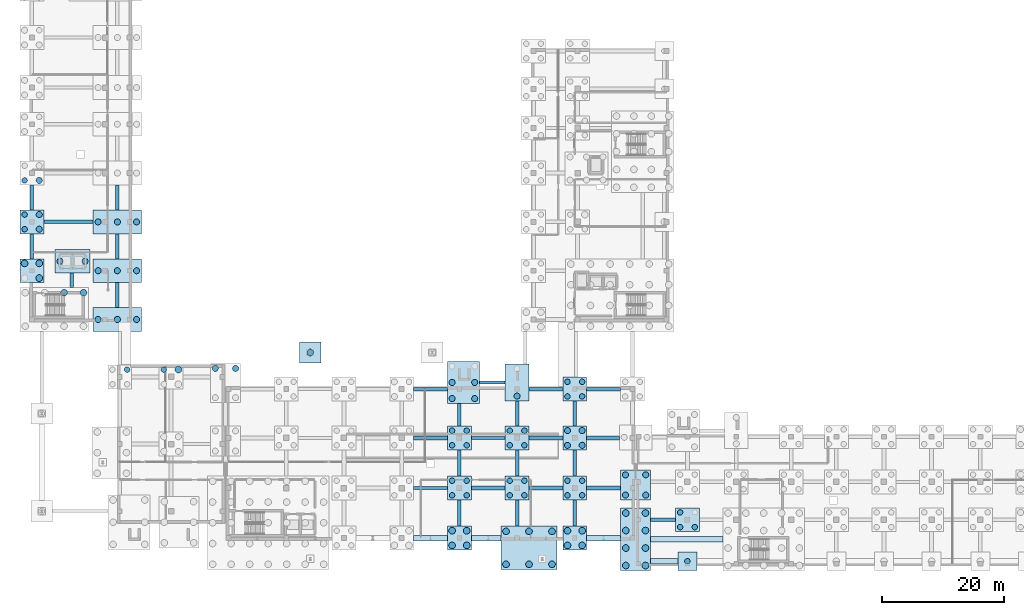
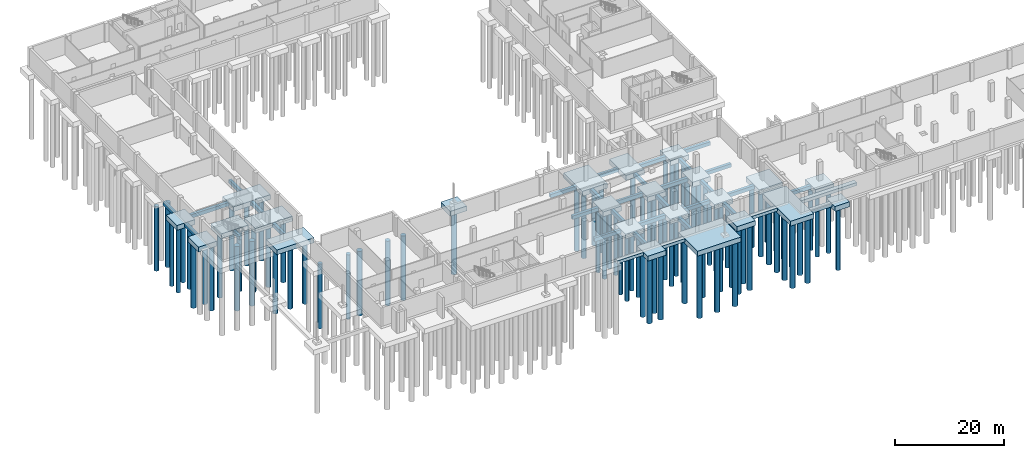
# One storey, part 2 of 31: 91 piles, 57 footings.
"""IFC4 building model written with IfcOpenShell, lengths in metres."""

import ifcopenshell
import ifcopenshell.guid

model = None  # the IFC model being written
_history = None  # IfcOwnerHistory: only IFC2X3 demands one
_inside = {}  # id of a spatial element -> (the spatial element, [elements in it])
_under = {}  # id of a project, library or spatial element -> (it, [spatial elements below it])
_declared = {}  # id of a project -> (the project, [libraries it declares])
_typed = {}  # id of a type object -> (the type object, [elements of that type])
_made_of = {}  # id of a material, layer set ... -> (it, [elements and type objects made of it])


def new_model(schema):
    """Start an empty IFC model of exactly this schema.

    Asked for "IFC4X3", IfcOpenShell would pick the latest addendum, in which some entities
    have other attributes; the version numbers below select the first issue.
    IFC2X3 requires an IfcOwnerHistory on every rooted entity: one is made here for all.
    """
    global model, _history
    if schema == "IFC4X3":
        model = ifcopenshell.file(schema_version=(4, 3, 0, 0))
    else:
        model = ifcopenshell.file(schema=schema)
    _inside.clear()
    _under.clear()
    _declared.clear()
    _typed.clear()
    _made_of.clear()
    _history = None
    if model.schema == "IFC2X3":
        org = make("IfcOrganization", Name="unknown")
        user = make(
            "IfcPersonAndOrganization",
            ThePerson=make("IfcPerson", FamilyName="unknown"),
            TheOrganization=org,
        )
        app = make(
            "IfcApplication",
            ApplicationDeveloper=org,
            Version="unknown",
            ApplicationFullName="unknown",
            ApplicationIdentifier="unknown",
        )
        _history = make(
            "IfcOwnerHistory",
            OwningUser=user,
            OwningApplication=app,
            ChangeAction="ADDED",
            CreationDate=0,
        )
    return model


def make(cls, **values):
    """One entity of the class cls with the attributes given. An attribute that is None is left unset."""
    return model.create_entity(
        cls, **{name: value for name, value in values.items() if value is not None}
    )


def rooted(cls, **values):
    """An entity with a GlobalId (a new one), such as an element, a storey or a relation."""
    return make(cls, GlobalId=ifcopenshell.guid.new(), OwnerHistory=_history, **values)


def si_unit(unit_type, name, prefix=None):
    """IfcSIUnit, for example si_unit("LENGTHUNIT", "METRE", prefix="MILLI")."""
    return make("IfcSIUnit", UnitType=unit_type, Prefix=prefix, Name=name)


def assignment(units):
    """IfcUnitAssignment: the units of a project."""
    return None if units is None else make("IfcUnitAssignment", Units=units)


def point(xyz):
    """IfcCartesianPoint."""
    return None if xyz is None else make("IfcCartesianPoint", Coordinates=xyz)


def direction(xyz):
    """IfcDirection."""
    return None if xyz is None else make("IfcDirection", DirectionRatios=xyz)


def frame(location, z_axis=None, x_axis=None):
    """IfcAxis2Placement3D, a coordinate frame: its origin and axes. An axis left out is left unset."""
    return make(
        "IfcAxis2Placement3D",
        Location=point(location),
        Axis=direction(z_axis),
        RefDirection=direction(x_axis),
    )


def frame_2d(location, x_axis=None):
    """IfcAxis2Placement2D, a coordinate frame in the plane: its origin and x axis."""
    return make(
        "IfcAxis2Placement2D", Location=point(location), RefDirection=direction(x_axis)
    )


def origin():
    """The frame at (0, 0, 0) with its axes left unset."""
    return frame((0.0, 0.0, 0.0))


def origin_2d():
    """The frame at (0, 0) in the plane with its x axis left unset."""
    return frame_2d((0.0, 0.0))


def place(relative_to, where):
    """IfcLocalPlacement: puts the frame where relative to a parent placement (None: the world)."""
    return make(
        "IfcLocalPlacement", PlacementRelTo=relative_to, RelativePlacement=where
    )


def context(
    kind, dimensions, precision=None, world=None, true_north=None, identifier=None
):
    """IfcGeometricRepresentationContext, for example the 3D "Model" context."""
    return make(
        "IfcGeometricRepresentationContext",
        ContextIdentifier=identifier,
        ContextType=kind,
        CoordinateSpaceDimension=dimensions,
        Precision=precision,
        WorldCoordinateSystem=world,
        TrueNorth=true_north,
    )


def subcontext(parent, identifier, kind, view, scale=None):
    """IfcGeometricRepresentationSubContext, for example "Body" below "Model"."""
    return make(
        "IfcGeometricRepresentationSubContext",
        ContextIdentifier=identifier,
        ContextType=kind,
        ParentContext=parent,
        TargetScale=scale,
        TargetView=view,
    )


def project(units=None, contexts=None):
    """IfcProject with its units and contexts."""
    return rooted(
        "IfcProject",
        Name="project",
        RepresentationContexts=contexts,
        UnitsInContext=assignment(units),
    )


def spatial(cls, under=None, at=None, **own):
    """A site, building, storey or space (cls), placed at a placement, below another one or the project."""
    s = rooted(cls, ObjectPlacement=at, **own)
    if under is not None:
        _under.setdefault(under.id(), (under, []))[1].append(s)
    return s


def profile(cls, at=None, kind="AREA", **sizes):
    """A parametric profile (cls). Its sizes go by their IFC names, for example OverallWidth=200.0."""
    return make(cls, ProfileType=kind, Position=at, **sizes)


def rectangle(**sizes):
    """IfcRectangleProfileDef."""
    return profile("IfcRectangleProfileDef", **sizes)


def circle(**sizes):
    """IfcCircleProfileDef."""
    return profile("IfcCircleProfileDef", **sizes)


def extrude(swept, where, along, depth):
    """IfcExtrudedAreaSolid: the profile swept, set in the frame where, extruded along a direction by depth."""
    return make(
        "IfcExtrudedAreaSolid",
        SweptArea=swept,
        Position=where,
        ExtrudedDirection=direction(along),
        Depth=depth,
    )


def shape(context_of_items, identifier, shape_type, items):
    """IfcShapeRepresentation: the items that make up one representation, for example the "Body"."""
    return make(
        "IfcShapeRepresentation",
        ContextOfItems=context_of_items,
        RepresentationIdentifier=identifier,
        RepresentationType=shape_type,
        Items=items,
    )


def material(Name=None, Category=None):
    """IfcMaterial."""
    return make("IfcMaterial", Name=Name, Category=Category)


def material_profile(
    of_material, cross_section, Name=None, Category=None, Priority=None
):
    """IfcMaterialProfile: a cross section and its material."""
    return make(
        "IfcMaterialProfile",
        Name=Name,
        Material=of_material,
        Profile=cross_section,
        Priority=Priority,
        Category=Category,
    )


def profile_set(profiles, Name=None, composite=None):
    """IfcMaterialProfileSet."""
    return make(
        "IfcMaterialProfileSet",
        Name=Name,
        MaterialProfiles=profiles,
        CompositeProfile=composite,
    )


def made_of(thing, what):
    """Note that an element or type object is made of a material, layer set ...; save() writes the relation."""
    if what is not None:
        _made_of.setdefault(what.id(), (what, []))[1].append(thing)
    return thing


def type_object(cls, material=None, **own):
    """A type object (cls), such as IfcWallType, which elements share."""
    return made_of(rooted(cls, **own), material)


def element(
    cls,
    number,
    at=None,
    inside=None,
    cuts=None,
    type_object=None,
    material=None,
    context=None,
    identifier="Body",
    shape_type=None,
    held_by="IfcProductDefinitionShape",
    body=None,
    shapes=None,
    **own,
):
    """One element of the class cls, such as IfcWall. Its Tag is "e" and its number.

    at: its placement. inside: the storey or other place that contains it. cuts: it is an
    opening in that element (IfcRelVoidsElement). A single representation is given by context,
    identifier, shape_type and body (its items); several are given by shapes. held_by: the class
    of the entity that holds the representations. save() writes the other relations.
    """
    e = rooted(cls, Tag="e%d" % number, ObjectPlacement=at, **own)
    if body is not None:
        shapes = [shape(context, identifier, shape_type, body)]
    if shapes is not None:
        e.Representation = make(held_by, Representations=shapes)
    if inside is not None:
        _inside.setdefault(inside.id(), (inside, []))[1].append(e)
    if cuts is not None:
        rooted(
            "IfcRelVoidsElement", RelatingBuildingElement=cuts, RelatedOpeningElement=e
        )
    if type_object is not None:
        _typed.setdefault(type_object.id(), (type_object, []))[1].append(e)
    return made_of(e, material)


def aggregate(whole, parts):
    """IfcRelAggregates: a whole, such as a stair, and the parts it consists of."""
    return rooted("IfcRelAggregates", RelatingObject=whole, RelatedObjects=parts)


def save(model, path):
    """Write the relations noted so far, then the file.

    IfcRelAggregates (storeys below a building ...), IfcRelContainedInSpatialStructure (elements
    in a storey), IfcRelDefinesByType, IfcRelAssociatesMaterial and IfcRelDeclares: one each for
    every whole, place, type object, material and project.
    """
    for whole, parts in _under.values():
        aggregate(whole, parts)
    for where, things in _inside.values():
        rooted(
            "IfcRelContainedInSpatialStructure",
            RelatedElements=things,
            RelatingStructure=where,
        )
    for kind, things in _typed.values():
        rooted("IfcRelDefinesByType", RelatedObjects=things, RelatingType=kind)
    for what, things in _made_of.values():
        rooted("IfcRelAssociatesMaterial", RelatedObjects=things, RelatingMaterial=what)
    for by, libraries in _declared.values():
        rooted("IfcRelDeclares", RelatingContext=by, RelatedDefinitions=libraries)
    model.write(path)


model = new_model("IFC4")

# Units and contexts
model_context = context("Model", 3, precision=1e-05, world=origin(), true_north=direction((0.0, 1.0)))
body_context = subcontext(model_context, "Body", "Model", "MODEL_VIEW")
ifc_project = project(units=[si_unit("LENGTHUNIT", "METRE"), si_unit("AREAUNIT", "SQUARE_METRE"), si_unit("VOLUMEUNIT", "CUBIC_METRE"), si_unit("PLANEANGLEUNIT", "RADIAN"), si_unit("MASSUNIT", "GRAM", prefix="KILO")], contexts=[model_context])

# Site, building, storey
site_placement = place(None, origin())
site = spatial("IfcSite", under=ifc_project, at=site_placement, CompositionType="ELEMENT")
building_placement = place(site_placement, origin())
building = spatial("IfcBuilding", under=site, at=building_placement, Name="Qalavern Law Courts", CompositionType="ELEMENT")
storey_placement = place(building_placement, frame((0.0, 0.0, -8.39990234375)))
storey = spatial("IfcBuildingStorey", under=building, at=storey_placement, Name="B2", CompositionType="ELEMENT", Elevation=-8.39990234375)

# Footings
ifc_material = material(Name="Concrete C35/45", Category="concrete")
ifc_material_profile_1 = material_profile(ifc_material, rectangle(XDim=0.5, YDim=0.85009765625, at=origin_2d()), Name="RC 500x850")
ifc_profile_set_1 = profile_set([ifc_material_profile_1], Name="Concrete C35/45")
footing_type_1 = type_object("IfcFootingType", Name="STR-FB-500x850", PredefinedType="FOOTING_BEAM", material=ifc_profile_set_1)
for number, where, z_axis, x_axis, name in (
    (1, (64.93310546875, 13.800048828125, -0.925048828125), (1.0, 0.0, 0.0), (0.0, 1.0, 0.0), "Seismic tie beam 027"),
    (2, (74.386962890625, 22.0, -0.925048828125), (1.0, 0.0, 0.0), (0.0, 1.0, 0.0), "Seismic tie beam 063"),
):
    element("IfcFooting", number, at=place(storey_placement, frame(where, z_axis=z_axis, x_axis=x_axis)), inside=storey, type_object=footing_type_1, Name=name, PredefinedType="FOOTING_BEAM", context=body_context, shape_type="SweptSolid", body=[
        extrude(rectangle(XDim=0.5, YDim=0.85009765625, at=origin_2d()), origin(), (0.0, 0.0, 1.0), 5.553955078125),
    ])
footing_1_placement = place(storey_placement, frame((75.75, 31.10009765625, -0.925048828125), z_axis=(1.0, 0.0, 0.0), x_axis=(0.0, 1.0, 0.0)))
element("IfcFooting", 3, at=footing_1_placement, inside=storey, type_object=footing_type_1, Name="Seismic tie beam 078", PredefinedType="FOOTING_BEAM", context=body_context, shape_type="SweptSolid", body=[
    extrude(rectangle(XDim=0.5, YDim=0.85009765625, at=origin_2d()), origin(), (0.0, 0.0, 1.0), 4.19091796875),
])
ifc_material_profile_2 = material_profile(ifc_material, rectangle(XDim=0.60009765625, YDim=0.800048828125, at=origin_2d()), Name="RC 600x800")
ifc_profile_set_2 = profile_set([ifc_material_profile_2], Name="Concrete C35/45")
footing_type_2 = type_object("IfcFootingType", Name="STR-FB-600x800", PredefinedType="FOOTING_BEAM", material=ifc_profile_set_2)
footing_2_placement = place(storey_placement, frame((103.77001953125, 8.60009765625, -0.900146484375), z_axis=(1.0, 0.0, 0.0), x_axis=(0.0, 1.0, 0.0)))
element("IfcFooting", 4, at=footing_2_placement, inside=storey, type_object=footing_type_2, Name="Seismic tie beam 001", PredefinedType="FOOTING_BEAM", context=body_context, shape_type="SweptSolid", body=[
    extrude(rectangle(XDim=0.60009765625, YDim=0.800048828125, at=origin_2d()), origin(), (0.0, 0.0, 1.0), 4.080078125),
])
for number, where, z_axis, x_axis, name in (
    (5, (81.89111328125, 7.550048828125, -0.900146484375), (0.0, 1.0, 0.0), (-1.0, 0.0, 0.0), "Seismic tie beam 010"),
    (6, (72.43701171875, 7.550048828125, -0.900146484375), (0.0, 1.0, 0.0), (-1.0, 0.0, 0.0), "Seismic tie beam 013"),
    (7, (91.345947265625, 7.550048828125, -0.900146484375), (0.0, 1.0, 0.0), (-1.0, 0.0, 0.0), "Seismic tie beam 014"),
):
    element("IfcFooting", number, at=place(storey_placement, frame(where, z_axis=z_axis, x_axis=x_axis)), inside=storey, type_object=footing_type_2, Name=name, PredefinedType="FOOTING_BEAM", context=body_context, shape_type="SweptSolid", body=[
        extrude(rectangle(XDim=0.60009765625, YDim=0.800048828125, at=origin_2d()), origin(), (0.0, 0.0, 1.0), 4.300048828125),
    ])
footing_3_placement = place(storey_placement, frame((93.2958984375, 13.800048828125, -0.900146484375), z_axis=(1.0, 0.0, 0.0), x_axis=(0.0, 1.0, 0.0)))
element("IfcFooting", 8, at=footing_3_placement, inside=storey, type_object=footing_type_2, Name="Seismic tie beam 022", PredefinedType="FOOTING_BEAM", context=body_context, shape_type="SweptSolid", body=[
    extrude(rectangle(XDim=0.60009765625, YDim=0.800048828125, at=origin_2d()), origin(), (0.0, 0.0, 1.0), 5.55419921875),
])
footing_4_placement = place(storey_placement, frame((74.386962890625, 13.800048828125, -0.900146484375), z_axis=(1.0, 0.0, 0.0), x_axis=(0.0, 1.0, 0.0)))
element("IfcFooting", 9, at=footing_4_placement, inside=storey, type_object=footing_type_2, Name="Seismic tie beam 029", PredefinedType="FOOTING_BEAM", context=body_context, shape_type="SweptSolid", body=[
    extrude(rectangle(XDim=0.60009765625, YDim=0.800048828125, at=origin_2d()), origin(), (0.0, 0.0, 1.0), 5.553955078125),
])
footing_5_placement = place(storey_placement, frame((72.43701171875, 15.75, -0.900146484375), z_axis=(0.0, 1.0, 0.0), x_axis=(-1.0, 0.0, 0.0)))
element("IfcFooting", 10, at=footing_5_placement, inside=storey, type_object=footing_type_2, Name="Seismic tie beam 030", PredefinedType="FOOTING_BEAM", context=body_context, shape_type="SweptSolid", body=[
    extrude(rectangle(XDim=0.60009765625, YDim=0.800048828125, at=origin_2d()), origin(), (0.0, 0.0, 1.0), 4.300048828125),
])
footing_6_placement = place(storey_placement, frame((83.841064453125, 13.800048828125, -0.900146484375), z_axis=(1.0, 0.0, 0.0), x_axis=(0.0, 1.0, 0.0)))
element("IfcFooting", 11, at=footing_6_placement, inside=storey, type_object=footing_type_2, Name="Seismic tie beam 031", PredefinedType="FOOTING_BEAM", context=body_context, shape_type="SweptSolid", body=[
    extrude(rectangle(XDim=0.60009765625, YDim=0.800048828125, at=origin_2d()), origin(), (0.0, 0.0, 1.0), 5.554931640625),
])
for number, where, z_axis, x_axis, name in (
    (12, (81.89111328125, 15.75, -0.900146484375), (0.0, 1.0, 0.0), (-1.0, 0.0, 0.0), "Seismic tie beam 032"),
    (13, (91.345947265625, 15.75, -0.900146484375), (0.0, 1.0, 0.0), (-1.0, 0.0, 0.0), "Seismic tie beam 033"),
):
    element("IfcFooting", number, at=place(storey_placement, frame(where, z_axis=z_axis, x_axis=x_axis)), inside=storey, type_object=footing_type_2, Name=name, PredefinedType="FOOTING_BEAM", context=body_context, shape_type="SweptSolid", body=[
        extrude(rectangle(XDim=0.60009765625, YDim=0.800048828125, at=origin_2d()), origin(), (0.0, 0.0, 1.0), 4.300048828125),
    ])
footing_7_placement = place(storey_placement, frame((64.93310546875, 22.0, -0.900146484375), z_axis=(1.0, 0.0, 0.0), x_axis=(0.0, 1.0, 0.0)))
element("IfcFooting", 14, at=footing_7_placement, inside=storey, type_object=footing_type_2, Name="Seismic tie beam 061", PredefinedType="FOOTING_BEAM", context=body_context, shape_type="SweptSolid", body=[
    extrude(rectangle(XDim=0.60009765625, YDim=0.800048828125, at=origin_2d()), origin(), (0.0, 0.0, 1.0), 5.553955078125),
])
footing_8_placement = place(storey_placement, frame((72.43701171875, 23.949951171875, -0.900146484375), z_axis=(0.0, 1.0, 0.0), x_axis=(-1.0, 0.0, 0.0)))
element("IfcFooting", 15, at=footing_8_placement, inside=storey, type_object=footing_type_2, Name="Seismic tie beam 064", PredefinedType="FOOTING_BEAM", context=body_context, shape_type="SweptSolid", body=[
    extrude(rectangle(XDim=0.60009765625, YDim=0.800048828125, at=origin_2d()), origin(), (0.0, 0.0, 1.0), 3.705078125),
])
footing_9_placement = place(storey_placement, frame((83.841064453125, 22.0, -0.900146484375), z_axis=(1.0, 0.0, 0.0), x_axis=(0.0, 1.0, 0.0)))
element("IfcFooting", 16, at=footing_9_placement, inside=storey, type_object=footing_type_2, Name="Seismic tie beam 065", PredefinedType="FOOTING_BEAM", context=body_context, shape_type="SweptSolid", body=[
    extrude(rectangle(XDim=0.60009765625, YDim=0.800048828125, at=origin_2d()), origin(), (0.0, 0.0, 1.0), 5.554931640625),
])
footing_10_placement = place(storey_placement, frame((81.89111328125, 23.949951171875, -0.900146484375), z_axis=(0.0, 1.0, 0.0), x_axis=(-1.0, 0.0, 0.0)))
element("IfcFooting", 17, at=footing_10_placement, inside=storey, type_object=footing_type_2, Name="Seismic tie beam 066", PredefinedType="FOOTING_BEAM", context=body_context, shape_type="SweptSolid", body=[
    extrude(rectangle(XDim=0.60009765625, YDim=0.800048828125, at=origin_2d()), origin(), (0.0, 0.0, 1.0), 4.10009765625),
])
footing_11_placement = place(storey_placement, frame((93.2958984375, 22.0, -0.900146484375), z_axis=(1.0, 0.0, 0.0), x_axis=(0.0, 1.0, 0.0)))
element("IfcFooting", 18, at=footing_11_placement, inside=storey, type_object=footing_type_2, Name="Seismic tie beam 067", PredefinedType="FOOTING_BEAM", context=body_context, shape_type="SweptSolid", body=[
    extrude(rectangle(XDim=0.60009765625, YDim=0.800048828125, at=origin_2d()), origin(), (0.0, 0.0, 1.0), 5.34912109375),
])
footing_12_placement = place(storey_placement, frame((91.345947265625, 23.949951171875, -0.900146484375), z_axis=(0.0, 1.0, 0.0), x_axis=(-1.0, 0.0, 0.0)))
element("IfcFooting", 19, at=footing_12_placement, inside=storey, type_object=footing_type_2, Name="Seismic tie beam 068", PredefinedType="FOOTING_BEAM", context=body_context, shape_type="SweptSolid", body=[
    extrude(rectangle(XDim=0.60009765625, YDim=0.800048828125, at=origin_2d()), origin(), (0.0, 0.0, 1.0), 4.10009765625),
])
footing_13_placement = place(storey_placement, frame((64.93310546875, 30.0, -0.900146484375), z_axis=(1.0, 0.0, 0.0), x_axis=(0.0, 1.0, 0.0)))
element("IfcFooting", 20, at=footing_13_placement, inside=storey, type_object=footing_type_2, Name="Seismic tie beam 077", PredefinedType="FOOTING_BEAM", context=body_context, shape_type="SweptSolid", body=[
    extrude(rectangle(XDim=0.60009765625, YDim=0.800048828125, at=origin_2d()), origin(), (0.0, 0.0, 1.0), 5.516845703125),
])
footing_14_placement = place(storey_placement, frame((83.841064453125, 30.0, -0.900146484375), z_axis=(1.0, 0.0, 0.0), x_axis=(0.0, 1.0, 0.0)))
element("IfcFooting", 21, at=footing_14_placement, inside=storey, type_object=footing_type_2, Name="Seismic tie beam 083", PredefinedType="FOOTING_BEAM", context=body_context, shape_type="SweptSolid", body=[
    extrude(rectangle(XDim=0.60009765625, YDim=0.800048828125, at=origin_2d()), origin(), (0.0, 0.0, 1.0), 5.554931640625),
])
footing_15_placement = place(storey_placement, frame((93.2958984375, 30.0, -0.900146484375), z_axis=(1.0, 0.0, 0.0), x_axis=(0.0, 1.0, 0.0)))
element("IfcFooting", 22, at=footing_15_placement, inside=storey, type_object=footing_type_2, Name="Seismic tie beam 085", PredefinedType="FOOTING_BEAM", context=body_context, shape_type="SweptSolid", body=[
    extrude(rectangle(XDim=0.60009765625, YDim=0.800048828125, at=origin_2d()), origin(), (0.0, 0.0, 1.0), 5.55419921875),
])
footing_16_placement = place(storey_placement, frame((8.949951171875, 46.64990234375, -0.900146484375), z_axis=(0.0, 1.0, 0.0), x_axis=(-1.0, 0.0, 0.0)))
element("IfcFooting", 23, at=footing_16_placement, inside=storey, type_object=footing_type_2, Name="Seismic tie beam 090", PredefinedType="FOOTING_BEAM", context=body_context, shape_type="SweptSolid", body=[
    extrude(rectangle(XDim=0.60009765625, YDim=0.800048828125, at=origin_2d()), origin(), (0.0, 0.0, 1.0), 2.400146484375),
])
footing_17_placement = place(storey_placement, frame((16.39990234375, 43.3701171875, -0.900146484375), z_axis=(0.0, 1.0, 0.0), x_axis=(-1.0, 0.0, 0.0)))
element("IfcFooting", 24, at=footing_17_placement, inside=storey, type_object=footing_type_2, Name="Seismic tie beam 091", PredefinedType="FOOTING_BEAM", context=body_context, shape_type="SweptSolid", body=[
    extrude(rectangle(XDim=0.60009765625, YDim=0.800048828125, at=origin_2d()), origin(), (0.0, 0.0, 1.0), 4.079833984375),
])
for number, where, z_axis, x_axis, name in (
    (25, (2.39990234375, 51.35009765625, -0.900146484375), (0.0, 1.0, 0.0), (-1.0, 0.0, 0.0), "Seismic tie beam 098"),
    (26, (16.39990234375, 51.35009765625, -0.900146484375), (0.0, 1.0, 0.0), (-1.0, 0.0, 0.0), "Seismic tie beam 099"),
):
    element("IfcFooting", number, at=place(storey_placement, frame(where, z_axis=z_axis, x_axis=x_axis)), inside=storey, type_object=footing_type_2, Name=name, PredefinedType="FOOTING_BEAM", context=body_context, shape_type="SweptSolid", body=[
        extrude(rectangle(XDim=0.60009765625, YDim=0.800048828125, at=origin_2d()), origin(), (0.0, 0.0, 1.0), 4.099853515625),
    ])
footing_18_placement = place(storey_placement, frame((4.35009765625, 57.39990234375, -0.900146484375), z_axis=(1.0, 0.0, 0.0), x_axis=(0.0, 1.0, 0.0)))
element("IfcFooting", 27, at=footing_18_placement, inside=storey, type_object=footing_type_2, Name="Seismic tie beam 101", PredefinedType="FOOTING_BEAM", context=body_context, shape_type="SweptSolid", body=[
    extrude(rectangle(XDim=0.60009765625, YDim=0.800048828125, at=origin_2d()), origin(), (0.0, 0.0, 1.0), 8.099853515625),
])
for number, where, z_axis, x_axis, name in (
    (28, (2.39990234375, 59.35009765625, -0.900146484375), (0.0, 1.0, 0.0), (-1.0, 0.0, 0.0), "Seismic tie beam 102"),
    (29, (16.39990234375, 59.35009765625, -0.900146484375), (0.0, 1.0, 0.0), (-1.0, 0.0, 0.0), "Seismic tie beam 103"),
):
    element("IfcFooting", number, at=place(storey_placement, frame(where, z_axis=z_axis, x_axis=x_axis)), inside=storey, type_object=footing_type_2, Name=name, PredefinedType="FOOTING_BEAM", context=body_context, shape_type="SweptSolid", body=[
        extrude(rectangle(XDim=0.60009765625, YDim=0.800048828125, at=origin_2d()), origin(), (0.0, 0.0, 1.0), 4.099853515625),
    ])
footing_type_3 = type_object("IfcFootingType", Name="STR-PC-3100x3100x1100", PredefinedType="PILE_CAP", material=ifc_material)
footing_19_placement = place(storey_placement, frame((109.800048828125, 1.800048828125, -1.60009765625), z_axis=(0.0, 0.0, 1.0), x_axis=(1.0, 0.0, 0.0)))
element("IfcFooting", 30, at=footing_19_placement, inside=storey, type_object=footing_type_3, Name="Pile cap 002", PredefinedType="PILE_CAP", context=body_context, shape_type="SweptSolid", body=[
    extrude(rectangle(XDim=3.10009765625, YDim=3.10009765625, at=origin_2d()), origin(), (0.0, 0.0, 1.0), 1.10009765625),
])
footing_type_4 = type_object("IfcFootingType", Name="STR-PC-3500x3500x1100", PredefinedType="PILE_CAP", material=ifc_material)
footing_20_placement = place(storey_placement, frame((48.0, 36.0, -1.60009765625), z_axis=(0.0, 0.0, 1.0), x_axis=(1.0, 0.0, 0.0)))
element("IfcFooting", 31, at=footing_20_placement, inside=storey, type_object=footing_type_4, Name="Pile cap 067", PredefinedType="PILE_CAP", context=body_context, shape_type="SweptSolid", body=[
    extrude(rectangle(XDim=3.5, YDim=3.5, at=origin_2d()), origin(), (0.0, 0.0, 1.0), 1.10009765625),
])
footing_type_5 = type_object("IfcFootingType", Name="STR-PC-3900x3900x1100", PredefinedType="PILE_CAP", material=ifc_material)
for number, where, z_axis, x_axis, name in (
    (32, (72.43701171875, 5.60009765625, -1.60009765625), (0.0, 0.0, 1.0), (1.0, 0.0, 0.0), "Pile cap 013"),
    (33, (91.345947265625, 5.60009765625, -1.60009765625), (0.0, 0.0, 1.0), (1.0, 0.0, 0.0), "Pile cap 014"),
    (34, (109.800048828125, 8.60009765625, -1.60009765625), (0.0, 0.0, 1.0), (1.0, 0.0, 0.0), "Pile cap 017"),
    (35, (72.43701171875, 13.800048828125, -1.60009765625), (0.0, 0.0, 1.0), (1.0, 0.0, 0.0), "Pile cap 027"),
    (36, (81.89111328125, 13.800048828125, -1.60009765625), (0.0, 0.0, 1.0), (1.0, 0.0, 0.0), "Pile cap 028"),
    (37, (91.345947265625, 13.800048828125, -1.60009765625), (0.0, 0.0, 1.0), (1.0, 0.0, 0.0), "Pile cap 029"),
    (38, (72.43701171875, 22.0, -1.60009765625), (0.0, 0.0, 1.0), (1.0, 0.0, 0.0), "Pile cap 045"),
    (39, (81.89111328125, 22.0, -1.60009765625), (0.0, 0.0, 1.0), (1.0, 0.0, 0.0), "Pile cap 046"),
    (40, (91.345947265625, 22.0, -1.60009765625), (0.0, 0.0, 1.0), (1.0, 0.0, 0.0), "Pile cap 047"),
    (41, (91.345947265625, 30.0, -1.60009765625), (0.0, 0.0, 1.0), (1.0, 0.0, 0.0), "Pile cap 063"),
    (42, (2.39990234375, 49.39990234375, -1.60009765625), (0.0, 0.0, 1.0), (1.0, 0.0, 0.0), "Pile cap 073"),
    (43, (2.39990234375, 57.39990234375, -1.60009765625), (0.0, 0.0, 1.0), (1.0, 0.0, 0.0), "Pile cap 077"),
):
    element("IfcFooting", number, at=place(storey_placement, frame(where, z_axis=z_axis, x_axis=x_axis)), inside=storey, type_object=footing_type_5, Name=name, PredefinedType="PILE_CAP", context=body_context, shape_type="SweptSolid", body=[
        extrude(rectangle(XDim=3.89990234375, YDim=3.89990234375, at=origin_2d()), origin(), (0.0, 0.0, 1.0), 1.10009765625),
    ])
footing_type_6 = type_object("IfcFootingType", Name="STR-PC-3900x6100x1100", PredefinedType="PILE_CAP", material=ifc_material)
footing_21_placement = place(storey_placement, frame((81.89111328125, 31.10009765625, -1.60009765625), z_axis=(0.0, 0.0, 1.0), x_axis=(1.0, 0.0, 0.0)))
element("IfcFooting", 44, at=footing_21_placement, inside=storey, type_object=footing_type_6, Name="Pile cap 062", PredefinedType="PILE_CAP", context=body_context, shape_type="SweptSolid", body=[
    extrude(rectangle(XDim=3.89990234375, YDim=6.10009765625, at=origin_2d()), origin(), (0.0, 0.0, 1.0), 1.10009765625),
])
footing_type_7 = type_object("IfcFootingType", Name="STR-PC-4920x10300x1100", PredefinedType="PILE_CAP", material=ifc_material)
footing_22_placement = place(storey_placement, frame((101.31005859375, 5.39990234375, -1.60009765625), z_axis=(0.0, 0.0, 1.0), x_axis=(1.0, 0.0, 0.0)))
element("IfcFooting", 45, at=footing_22_placement, inside=storey, type_object=footing_type_7, Name="Pile cap 001", PredefinedType="PILE_CAP", context=body_context, shape_type="SweptSolid", body=[
    extrude(rectangle(XDim=4.919921875, YDim=10.300048828125, at=origin_2d()), origin(), (0.0, 0.0, 1.0), 1.10009765625),
])
footing_type_8 = type_object("IfcFootingType", Name="STR-PC-4920x4920x1100", PredefinedType="PILE_CAP", material=ifc_material)
footing_23_placement = place(storey_placement, frame((101.31005859375, 14.300048828125, -1.60009765625), z_axis=(0.0, 0.0, 1.0), x_axis=(1.0, 0.0, 0.0)))
element("IfcFooting", 46, at=footing_23_placement, inside=storey, type_object=footing_type_8, Name="Pile cap 024", PredefinedType="PILE_CAP", context=body_context, shape_type="SweptSolid", body=[
    extrude(rectangle(XDim=4.919921875, YDim=4.919921875, at=origin_2d()), origin(), (0.0, 0.0, 1.0), 1.10009765625),
])
footing_type_9 = type_object("IfcFootingType", Name="STR-PC-5300x6890x1100", PredefinedType="PILE_CAP", material=ifc_material)
footing_24_placement = place(storey_placement, frame((73.10009765625, 31.10009765625, -1.60009765625), z_axis=(0.0, 0.0, 1.0), x_axis=(1.0, 0.0, 0.0)))
element("IfcFooting", 47, at=footing_24_placement, inside=storey, type_object=footing_type_9, Name="Pile cap 057", PredefinedType="PILE_CAP", context=body_context, shape_type="SweptSolid", body=[
    extrude(rectangle(XDim=5.300048828125, YDim=6.889892578125, at=origin_2d()), origin(), (0.0, 0.0, 1.0), 1.10009765625),
])
footing_type_10 = type_object("IfcFootingType", Name="STR-PC-5700x3800x1100", PredefinedType="PILE_CAP", material=ifc_material)
footing_25_placement = place(storey_placement, frame((9.050048828125, 50.949951171875, -1.60009765625), z_axis=(0.0, 0.0, 1.0), x_axis=(1.0, 0.0, 0.0)))
element("IfcFooting", 48, at=footing_25_placement, inside=storey, type_object=footing_type_10, Name="Pile cap 076", PredefinedType="PILE_CAP", context=body_context, shape_type="SweptSolid", body=[
    extrude(rectangle(XDim=5.699951171875, YDim=3.800048828125, at=origin_2d()), origin(), (0.0, 0.0, 1.0), 1.10009765625),
])
footing_type_11 = type_object("IfcFootingType", Name="STR-PC-7900x3900x1100", PredefinedType="PILE_CAP", material=ifc_material)
for number, where, z_axis, x_axis, name in (
    (49, (16.39990234375, 41.419921875, -1.60009765625), (0.0, 0.0, 1.0), (1.0, 0.0, 0.0), "Pile cap 070"),
    (50, (16.39990234375, 49.39990234375, -1.60009765625), (0.0, 0.0, 1.0), (1.0, 0.0, 0.0), "Pile cap 074"),
    (51, (16.39990234375, 57.39990234375, -1.60009765625), (0.0, 0.0, 1.0), (1.0, 0.0, 0.0), "Pile cap 078"),
):
    element("IfcFooting", number, at=place(storey_placement, frame(where, z_axis=z_axis, x_axis=x_axis)), inside=storey, type_object=footing_type_11, Name=name, PredefinedType="PILE_CAP", context=body_context, shape_type="SweptSolid", body=[
        extrude(rectangle(XDim=7.89990234375, YDim=3.89990234375, at=origin_2d()), origin(), (0.0, 0.0, 1.0), 1.10009765625),
    ])
footing_type_12 = type_object("IfcFootingType", Name="STR-PC-9230x7100x1100", PredefinedType="PILE_CAP", material=ifc_material)
footing_26_placement = place(storey_placement, frame((83.845947265625, 4.0, -1.60009765625), z_axis=(0.0, 0.0, 1.0), x_axis=(1.0, 0.0, 0.0)))
element("IfcFooting", 52, at=footing_26_placement, inside=storey, type_object=footing_type_12, Name="Pile cap 010", PredefinedType="PILE_CAP", context=body_context, shape_type="SweptSolid", body=[
    extrude(rectangle(XDim=9.22998046875, YDim=7.10009765625, at=origin_2d()), origin(), (0.0, 0.0, 1.0), 1.10009765625),
])

# Piles
ifc_material_profile_3 = material_profile(ifc_material, circle(Radius=0.5, at=origin_2d()), Name="BORED PILE 1000")
ifc_profile_set_3 = profile_set([ifc_material_profile_3], Name="Concrete C35/45")
pile_type_1 = type_object("IfcPileType", Name="STR-PILE-1000", PredefinedType="BORED", material=ifc_profile_set_3)
for number, where, z_axis, x_axis, name in (
    (53, (99.64990234375, 12.639892578125, -1.5), (0.0, 0.0, -1.0), (1.0, 0.0, 0.0), "Bored pile 0129"),
    (54, (99.64990234375, 15.9599609375, -1.5), (0.0, 0.0, -1.0), (1.0, 0.0, 0.0), "Bored pile 0130"),
    (55, (102.969970703125, 12.639892578125, -1.5), (0.0, 0.0, -1.0), (1.0, 0.0, 0.0), "Bored pile 0131"),
    (56, (102.969970703125, 15.9599609375, -1.5), (0.0, 0.0, -1.0), (1.0, 0.0, 0.0), "Bored pile 0132"),
    (57, (90.14599609375, 20.800048828125, -1.5), (0.0, 0.0, -1.0), (1.0, 0.0, 0.0), "Bored pile 0225"),
    (58, (90.14599609375, 23.199951171875, -1.5), (0.0, 0.0, -1.0), (1.0, 0.0, 0.0), "Bored pile 0226"),
    (59, (92.5458984375, 20.800048828125, -1.5), (0.0, 0.0, -1.0), (1.0, 0.0, 0.0), "Bored pile 0227"),
    (60, (92.5458984375, 23.199951171875, -1.5), (0.0, 0.0, -1.0), (1.0, 0.0, 0.0), "Bored pile 0228"),
    (61, (71.25, 28.455078125, -1.5), (0.0, 0.0, -1.0), (1.0, 0.0, 0.0), "Bored pile 0258"),
    (62, (71.25, 31.10009765625, -1.5), (0.0, 0.0, -1.0), (1.0, 0.0, 0.0), "Bored pile 0259"),
    (63, (74.949951171875, 28.455078125, -1.5), (0.0, 0.0, -1.0), (1.0, 0.0, 0.0), "Bored pile 0261"),
    (64, (74.949951171875, 31.10009765625, -1.5), (0.0, 0.0, -1.0), (1.0, 0.0, 0.0), "Bored pile 0262"),
    (65, (32.449951171875, 33.39794921875, -1.5), (0.0, 0.0, -1.0), (1.0, 0.0, 0.0), "Bored pile 0265"),
    (66, (35.77001953125, 33.39794921875, -1.5), (0.0, 0.0, -1.0), (1.0, 0.0, 0.0), "Bored pile 0267"),
    (67, (81.89111328125, 28.85009765625, -1.5), (0.0, 0.0, -1.0), (1.0, 0.0, 0.0), "Bored pile 0280"),
    (68, (13.25, 41.419921875, -1.5), (0.0, 0.0, -1.0), (1.0, 0.0, 0.0), "Bored pile 0308"),
    (69, (16.39990234375, 41.419921875, -1.5), (0.0, 0.0, -1.0), (1.0, 0.0, 0.0), "Bored pile 0309"),
    (70, (19.550048828125, 41.419921875, -1.5), (0.0, 0.0, -1.0), (1.0, 0.0, 0.0), "Bored pile 0310"),
    (71, (13.25, 49.39990234375, -1.5), (0.0, 0.0, -1.0), (1.0, 0.0, 0.0), "Bored pile 0343"),
    (72, (16.39990234375, 49.39990234375, -1.5), (0.0, 0.0, -1.0), (1.0, 0.0, 0.0), "Bored pile 0344"),
    (73, (19.550048828125, 49.39990234375, -1.5), (0.0, 0.0, -1.0), (1.0, 0.0, 0.0), "Bored pile 0345"),
    (74, (7.0, 50.949951171875, -1.5), (0.0, 0.0, -1.0), (1.0, 0.0, 0.0), "Bored pile 0350"),
    (75, (11.10009765625, 50.949951171875, -1.5), (0.0, 0.0, -1.0), (1.0, 0.0, 0.0), "Bored pile 0351"),
    (76, (3.60009765625, 56.199951171875, -1.5), (0.0, 0.0, -1.0), (1.0, 0.0, 0.0), "Bored pile 0354"),
    (77, (3.60009765625, 58.60009765625, -1.5), (0.0, 0.0, -1.0), (1.0, 0.0, 0.0), "Bored pile 0355"),
    (78, (13.25, 57.39990234375, -1.5), (0.0, 0.0, -1.0), (1.0, 0.0, 0.0), "Bored pile 0356"),
    (79, (16.39990234375, 57.39990234375, -1.5), (0.0, 0.0, -1.0), (1.0, 0.0, 0.0), "Bored pile 0357"),
    (80, (19.550048828125, 57.39990234375, -1.5), (0.0, 0.0, -1.0), (1.0, 0.0, 0.0), "Bored pile 0358"),
    (81, (3.60009765625, 64.199951171875, -1.5), (0.0, 0.0, -1.0), (1.0, 0.0, 0.0), "Bored pile 0390"),
):
    element("IfcPile", number, at=place(storey_placement, frame(where, z_axis=z_axis, x_axis=x_axis)), inside=storey, type_object=pile_type_1, Name=name, PredefinedType="BORED", context=body_context, shape_type="SweptSolid", body=[
        extrude(circle(Radius=0.5, at=origin_2d()), origin(), (0.0, 0.0, 1.0), 14.5),
    ])
ifc_material_profile_4 = material_profile(ifc_material, circle(Radius=0.550048828125, at=origin_2d()), Name="BORED PILE 1100")
ifc_profile_set_4 = profile_set([ifc_material_profile_4], Name="Concrete C35/45")
pile_type_2 = type_object("IfcPileType", Name="STR-PILE-1100", PredefinedType="BORED", material=ifc_profile_set_4)
for number, where, z_axis, x_axis, name in (
    (82, (99.699951171875, 1.10009765625, -1.5), (0.0, 0.0, -1.0), (1.0, 0.0, 0.0), "Bored pile 0001"),
    (83, (99.699951171875, 3.966796875, -1.5), (0.0, 0.0, -1.0), (1.0, 0.0, 0.0), "Bored pile 0002"),
    (84, (99.699951171875, 6.833251953125, -1.5), (0.0, 0.0, -1.0), (1.0, 0.0, 0.0), "Bored pile 0003"),
    (85, (99.699951171875, 9.699951171875, -1.5), (0.0, 0.0, -1.0), (1.0, 0.0, 0.0), "Bored pile 0004"),
    (86, (102.919921875, 1.10009765625, -1.5), (0.0, 0.0, -1.0), (1.0, 0.0, 0.0), "Bored pile 0005"),
    (87, (102.919921875, 3.966796875, -1.5), (0.0, 0.0, -1.0), (1.0, 0.0, 0.0), "Bored pile 0006"),
    (88, (102.919921875, 6.833251953125, -1.5), (0.0, 0.0, -1.0), (1.0, 0.0, 0.0), "Bored pile 0007"),
    (89, (102.919921875, 9.699951171875, -1.5), (0.0, 0.0, -1.0), (1.0, 0.0, 0.0), "Bored pile 0008"),
    (90, (80.0810546875, 1.300048828125, -1.5), (0.0, 0.0, -1.0), (1.0, 0.0, 0.0), "Bored pile 0070"),
    (91, (80.0810546875, 6.699951171875, -1.5), (0.0, 0.0, -1.0), (1.0, 0.0, 0.0), "Bored pile 0071"),
    (92, (83.845947265625, 1.300048828125, -1.5), (0.0, 0.0, -1.0), (1.0, 0.0, 0.0), "Bored pile 0072"),
    (93, (83.845947265625, 6.699951171875, -1.5), (0.0, 0.0, -1.0), (1.0, 0.0, 0.0), "Bored pile 0073"),
    (94, (87.611083984375, 1.300048828125, -1.5), (0.0, 0.0, -1.0), (1.0, 0.0, 0.0), "Bored pile 0074"),
    (95, (87.611083984375, 6.699951171875, -1.5), (0.0, 0.0, -1.0), (1.0, 0.0, 0.0), "Bored pile 0075"),
    (96, (71.237060546875, 4.39990234375, -1.5), (0.0, 0.0, -1.0), (1.0, 0.0, 0.0), "Bored pile 0084"),
    (97, (71.237060546875, 6.800048828125, -1.5), (0.0, 0.0, -1.0), (1.0, 0.0, 0.0), "Bored pile 0085"),
    (98, (73.636962890625, 4.39990234375, -1.5), (0.0, 0.0, -1.0), (1.0, 0.0, 0.0), "Bored pile 0086"),
    (99, (73.636962890625, 6.800048828125, -1.5), (0.0, 0.0, -1.0), (1.0, 0.0, 0.0), "Bored pile 0087"),
    (100, (90.14599609375, 4.39990234375, -1.5), (0.0, 0.0, -1.0), (1.0, 0.0, 0.0), "Bored pile 0088"),
    (101, (90.14599609375, 6.800048828125, -1.5), (0.0, 0.0, -1.0), (1.0, 0.0, 0.0), "Bored pile 0089"),
    (102, (92.5458984375, 4.39990234375, -1.5), (0.0, 0.0, -1.0), (1.0, 0.0, 0.0), "Bored pile 0090"),
    (103, (92.5458984375, 6.800048828125, -1.5), (0.0, 0.0, -1.0), (1.0, 0.0, 0.0), "Bored pile 0091"),
    (104, (26.39990234375, 33.199951171875, -1.5), (0.0, 0.0, -1.0), (1.0, 0.0, 0.0), "Bored pile 0297"),
    (105, (48.0, 36.0, -1.5), (0.0, 0.0, -1.0), (1.0, 0.0, 0.0), "Bored pile 0298"),
    (106, (7.666748046875, 45.800048828125, -1.5), (0.0, 0.0, -1.0), (1.0, 0.0, 0.0), "Bored pile 0305"),
    (107, (10.85009765625, 45.800048828125, -1.5), (0.0, 0.0, -1.0), (1.0, 0.0, 0.0), "Bored pile 0307"),
    (108, (1.199951171875, 50.60009765625, -1.5), (0.0, 0.0, -1.0), (1.0, 0.0, 0.0), "Bored pile 0340"),
    (109, (3.60009765625, 48.199951171875, -1.5), (0.0, 0.0, -1.0), (1.0, 0.0, 0.0), "Bored pile 0341"),
    (110, (3.60009765625, 50.60009765625, -1.5), (0.0, 0.0, -1.0), (1.0, 0.0, 0.0), "Bored pile 0342"),
):
    element("IfcPile", number, at=place(storey_placement, frame(where, z_axis=z_axis, x_axis=x_axis)), inside=storey, type_object=pile_type_2, Name=name, PredefinedType="BORED", context=body_context, shape_type="SweptSolid", body=[
        extrude(circle(Radius=0.550048828125, at=origin_2d()), origin(), (0.0, 0.0, 1.0), 14.5),
    ])
ifc_material_profile_5 = material_profile(ifc_material, circle(Radius=0.449951171875, at=origin_2d()), Name="BORED PILE 900")
ifc_profile_set_5 = profile_set([ifc_material_profile_5], Name="Concrete C35/45")
pile_type_3 = type_object("IfcPileType", Name="STR-PILE-900", PredefinedType="BORED", material=ifc_profile_set_5)
for number, where, z_axis, x_axis, name in (
    (111, (109.800048828125, 1.800048828125, -1.5), (0.0, 0.0, -1.0), (1.0, 0.0, 0.0), "Bored pile 0009"),
    (112, (108.60009765625, 7.39990234375, -1.5), (0.0, 0.0, -1.0), (1.0, 0.0, 0.0), "Bored pile 0104"),
    (113, (108.60009765625, 9.800048828125, -1.5), (0.0, 0.0, -1.0), (1.0, 0.0, 0.0), "Bored pile 0105"),
    (114, (111.0, 7.39990234375, -1.5), (0.0, 0.0, -1.0), (1.0, 0.0, 0.0), "Bored pile 0106"),
    (115, (71.237060546875, 12.60009765625, -1.5), (0.0, 0.0, -1.0), (1.0, 0.0, 0.0), "Bored pile 0141"),
    (116, (71.237060546875, 15.0, -1.5), (0.0, 0.0, -1.0), (1.0, 0.0, 0.0), "Bored pile 0142"),
    (117, (73.636962890625, 12.60009765625, -1.5), (0.0, 0.0, -1.0), (1.0, 0.0, 0.0), "Bored pile 0143"),
    (118, (73.636962890625, 15.0, -1.5), (0.0, 0.0, -1.0), (1.0, 0.0, 0.0), "Bored pile 0144"),
    (119, (80.69091796875, 12.60009765625, -1.5), (0.0, 0.0, -1.0), (1.0, 0.0, 0.0), "Bored pile 0145"),
    (120, (80.69091796875, 15.0, -1.5), (0.0, 0.0, -1.0), (1.0, 0.0, 0.0), "Bored pile 0146"),
    (121, (83.091064453125, 12.60009765625, -1.5), (0.0, 0.0, -1.0), (1.0, 0.0, 0.0), "Bored pile 0147"),
    (122, (83.091064453125, 15.0, -1.5), (0.0, 0.0, -1.0), (1.0, 0.0, 0.0), "Bored pile 0148"),
    (123, (90.14599609375, 12.60009765625, -1.5), (0.0, 0.0, -1.0), (1.0, 0.0, 0.0), "Bored pile 0149"),
    (124, (90.14599609375, 15.0, -1.5), (0.0, 0.0, -1.0), (1.0, 0.0, 0.0), "Bored pile 0150"),
    (125, (92.5458984375, 12.60009765625, -1.5), (0.0, 0.0, -1.0), (1.0, 0.0, 0.0), "Bored pile 0151"),
    (126, (92.5458984375, 15.0, -1.5), (0.0, 0.0, -1.0), (1.0, 0.0, 0.0), "Bored pile 0152"),
    (127, (71.237060546875, 20.800048828125, -1.5), (0.0, 0.0, -1.0), (1.0, 0.0, 0.0), "Bored pile 0217"),
    (128, (71.237060546875, 23.199951171875, -1.5), (0.0, 0.0, -1.0), (1.0, 0.0, 0.0), "Bored pile 0218"),
    (129, (73.636962890625, 20.800048828125, -1.5), (0.0, 0.0, -1.0), (1.0, 0.0, 0.0), "Bored pile 0219"),
    (130, (73.636962890625, 23.199951171875, -1.5), (0.0, 0.0, -1.0), (1.0, 0.0, 0.0), "Bored pile 0220"),
    (131, (80.69091796875, 20.800048828125, -1.5), (0.0, 0.0, -1.0), (1.0, 0.0, 0.0), "Bored pile 0221"),
    (132, (80.69091796875, 23.199951171875, -1.5), (0.0, 0.0, -1.0), (1.0, 0.0, 0.0), "Bored pile 0222"),
    (133, (83.091064453125, 20.800048828125, -1.5), (0.0, 0.0, -1.0), (1.0, 0.0, 0.0), "Bored pile 0223"),
    (134, (83.091064453125, 23.199951171875, -1.5), (0.0, 0.0, -1.0), (1.0, 0.0, 0.0), "Bored pile 0224"),
    (135, (90.14599609375, 28.800048828125, -1.5), (0.0, 0.0, -1.0), (1.0, 0.0, 0.0), "Bored pile 0282"),
    (136, (90.14599609375, 31.199951171875, -1.5), (0.0, 0.0, -1.0), (1.0, 0.0, 0.0), "Bored pile 0283"),
    (137, (92.5458984375, 28.800048828125, -1.5), (0.0, 0.0, -1.0), (1.0, 0.0, 0.0), "Bored pile 0284"),
    (138, (92.5458984375, 31.199951171875, -1.5), (0.0, 0.0, -1.0), (1.0, 0.0, 0.0), "Bored pile 0285"),
    (139, (18.0, 33.199951171875, -1.5), (0.0, 0.0, -1.0), (1.0, 0.0, 0.0), "Bored pile 0293"),
    (140, (24.0, 33.199951171875, -1.5), (0.0, 0.0, -1.0), (1.0, 0.0, 0.0), "Bored pile 0295"),
    (141, (1.199951171875, 56.199951171875, -1.5), (0.0, 0.0, -1.0), (1.0, 0.0, 0.0), "Bored pile 0352"),
    (142, (1.199951171875, 58.60009765625, -1.5), (0.0, 0.0, -1.0), (1.0, 0.0, 0.0), "Bored pile 0353"),
    (143, (1.199951171875, 64.199951171875, -1.5), (0.0, 0.0, -1.0), (1.0, 0.0, 0.0), "Bored pile 0388"),
):
    element("IfcPile", number, at=place(storey_placement, frame(where, z_axis=z_axis, x_axis=x_axis)), inside=storey, type_object=pile_type_3, Name=name, PredefinedType="BORED", context=body_context, shape_type="SweptSolid", body=[
        extrude(circle(Radius=0.449951171875, at=origin_2d()), origin(), (0.0, 0.0, 1.0), 14.5),
    ])

# Footings
ifc_material_profile_6 = material_profile(ifc_material, rectangle(XDim=0.89990234375, YDim=0.699951171875, at=origin_2d()), Name="RC 900x700")
ifc_profile_set_6 = profile_set([ifc_material_profile_6], Name="Concrete C35/45")
footing_type_13 = type_object("IfcFootingType", Name="STR-SF-900x700", PredefinedType="STRIP_FOOTING", material=ifc_profile_set_6)
footing_27_placement = place(storey_placement, frame((103.77001953125, 1.800048828125, -0.85009765625), z_axis=(1.0, 0.0, 0.0), x_axis=(0.0, 1.0, 0.0)))
element("IfcFooting", 144, at=footing_27_placement, inside=storey, type_object=footing_type_13, Name="Perimeter strip footing 001", PredefinedType="STRIP_FOOTING", context=body_context, shape_type="SweptSolid", body=[
    extrude(rectangle(XDim=0.89990234375, YDim=0.699951171875, at=origin_2d()), origin(), (0.0, 0.0, 1.0), 4.47998046875),
])
footing_28_placement = place(storey_placement, frame((103.77001953125, 5.39990234375, -0.85009765625), z_axis=(1.0, 0.0, 0.0), x_axis=(0.0, 1.0, 0.0)))
element("IfcFooting", 145, at=footing_28_placement, inside=storey, type_object=footing_type_13, Name="Perimeter strip footing 002", PredefinedType="STRIP_FOOTING", context=body_context, shape_type="SweptSolid", body=[
    extrude(rectangle(XDim=0.89990234375, YDim=0.699951171875, at=origin_2d()), origin(), (0.0, 0.0, 1.0), 11.8349609375),
])
footing_29_placement = place(storey_placement, frame((93.2958984375, 5.60009765625, -0.85009765625), z_axis=(1.0, 0.0, 0.0), x_axis=(0.0, 1.0, 0.0)))
element("IfcFooting", 146, at=footing_29_placement, inside=storey, type_object=footing_type_13, Name="Perimeter strip footing 003", PredefinedType="STRIP_FOOTING", context=body_context, shape_type="SweptSolid", body=[
    extrude(rectangle(XDim=0.89990234375, YDim=0.699951171875, at=origin_2d()), origin(), (0.0, 0.0, 1.0), 5.55419921875),
])
footing_30_placement = place(storey_placement, frame((74.386962890625, 5.60009765625, -0.85009765625), z_axis=(1.0, 0.0, 0.0), x_axis=(0.0, 1.0, 0.0)))
element("IfcFooting", 147, at=footing_30_placement, inside=storey, type_object=footing_type_13, Name="Perimeter strip footing 011", PredefinedType="STRIP_FOOTING", context=body_context, shape_type="SweptSolid", body=[
    extrude(rectangle(XDim=0.89990234375, YDim=0.699951171875, at=origin_2d()), origin(), (0.0, 0.0, 1.0), 4.843994140625),
])
footing_31_placement = place(storey_placement, frame((64.93310546875, 5.60009765625, -0.85009765625), z_axis=(1.0, 0.0, 0.0), x_axis=(0.0, 1.0, 0.0)))
element("IfcFooting", 148, at=footing_31_placement, inside=storey, type_object=footing_type_13, Name="Perimeter strip footing 013", PredefinedType="STRIP_FOOTING", context=body_context, shape_type="SweptSolid", body=[
    extrude(rectangle(XDim=0.89990234375, YDim=0.699951171875, at=origin_2d()), origin(), (0.0, 0.0, 1.0), 5.553955078125),
])

save(model, "model.ifc")
